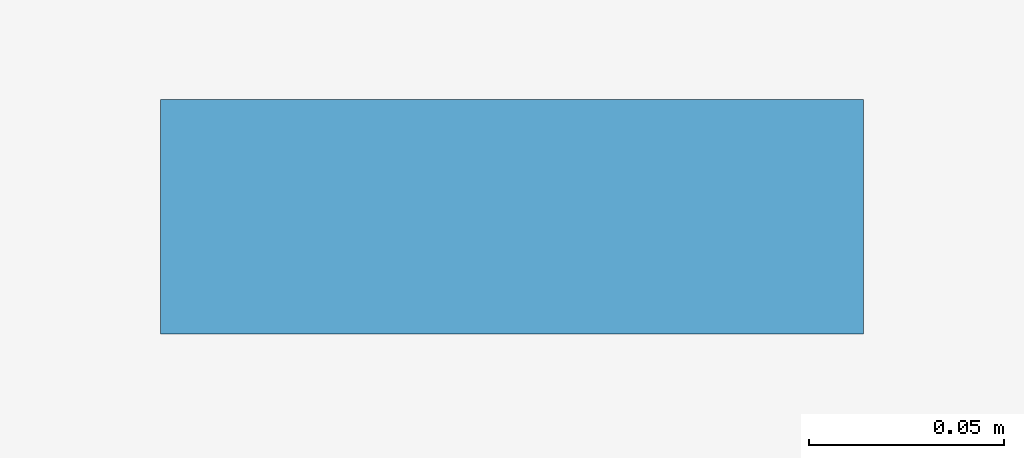
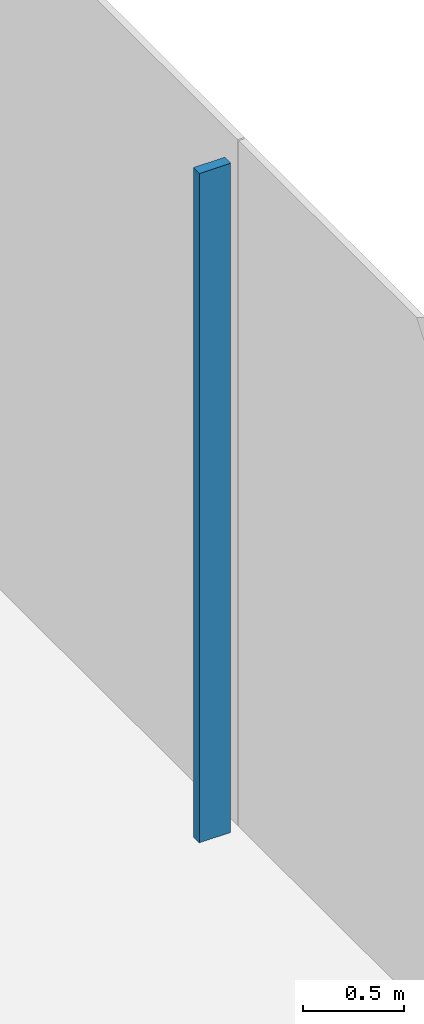
# One storey, part 9 of 22: 1 member, 1 element without a shape of its own.
"""IFC4 building model written with IfcOpenShell, lengths in metres."""

from ifc_helpers import new_model, si_unit, direction, frame, origin, origin_2d, place, context, subcontext, project, spatial, rectangle, extrude, material, layer, layer_set, material_profile, profile_set, type_object, element, aggregate, save


model = new_model("IFC4")

# Units and contexts
model_context = context("Model", 3, precision=1e-05, world=origin(), true_north=direction((0.0, 1.0)))
body_context = subcontext(model_context, "Body", "Model", "MODEL_VIEW")
ifc_project = project(units=[si_unit("LENGTHUNIT", "METRE"), si_unit("AREAUNIT", "SQUARE_METRE"), si_unit("VOLUMEUNIT", "CUBIC_METRE"), si_unit("PLANEANGLEUNIT", "RADIAN"), si_unit("MASSUNIT", "GRAM", prefix="KILO")], contexts=[model_context])

# Site, building, storey
site_placement = place(None, origin())
site = spatial("IfcSite", under=ifc_project, at=site_placement, CompositionType="ELEMENT")
building_placement = place(site_placement, origin())
building = spatial("IfcBuilding", under=site, at=building_placement, Name="Shamsa Quay Exchange Towers", CompositionType="ELEMENT")
storey_placement = place(building_placement, frame((0.0, 0.0, 37.5)))
storey = spatial("IfcBuildingStorey", under=building, at=storey_placement, Name="L07", CompositionType="ELEMENT", Elevation=37.5)

# Curtain wall, member
ifc_material = material(Name="Aluminium EN AW-6063 T6, black anodised", Category="aluminium")
ifc_layer = layer(ifc_material, 0.280029296875)
ifc_layer_set = layer_set([ifc_layer], Name="CW-1 UNITISED VISION GLASS")
curtain_wall_type = type_object("IfcCurtainWallType", Name="CW-1 UNITISED VISION GLASS", PredefinedType="NOTDEFINED", material=ifc_layer_set)
curtain_wall_placement = place(storey_placement, origin())
curtain_wall = element("IfcCurtainWall", 1, at=curtain_wall_placement, inside=storey, type_object=curtain_wall_type, Name="CW1 T2-END-V- L07", PredefinedType="NOTDEFINED")
ifc_material_profile = material_profile(ifc_material, rectangle(XDim=0.179931640625, YDim=0.06005859375, at=origin_2d()), Name="MU60x180")
ifc_profile_set = profile_set([ifc_material_profile], Name="Aluminium EN AW-6063 T6, black anodised")
member_type = type_object("IfcMemberType", Name="CW1 MULLION 60x180", PredefinedType="MULLION", material=ifc_profile_set)
member_placement = place(storey_placement, frame((62.85009765625, 2.25, 0.0), z_axis=(0.0, 0.0, 1.0), x_axis=(-1.0, 0.0, 0.0)))
member = element("IfcMember", 2, at=member_placement, type_object=member_type, Name="CW1 mullion", PredefinedType="MULLION", context=body_context, shape_type="SweptSolid", body=[
    extrude(rectangle(XDim=0.179931640625, YDim=0.06005859375, at=origin_2d()), origin(), (0.0, 0.0, 1.0), 4.050048828125),
])
aggregate(curtain_wall, [member])

save(model, "model.ifc")
